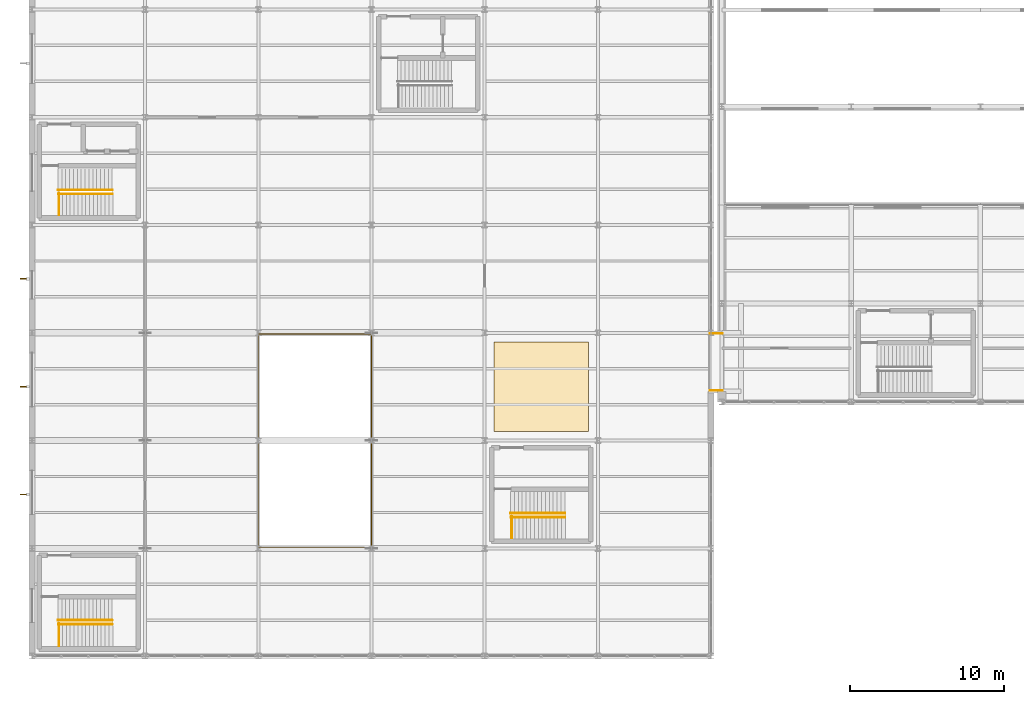
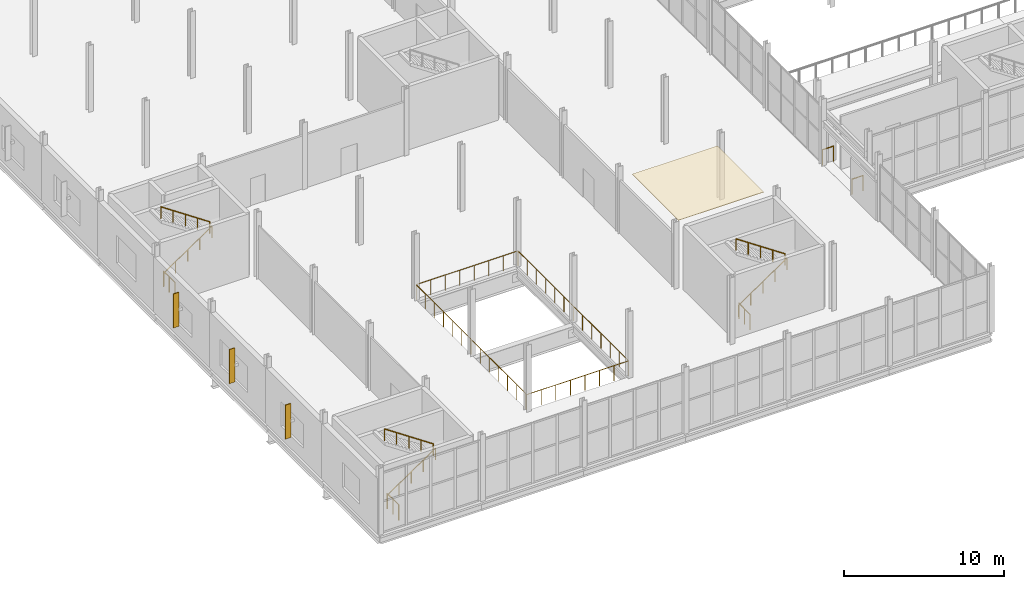
# One storey, part 211 of 218: 12 railings, 3 shading devices, 1 covering.
"""IFC4 building model written with IfcOpenShell, lengths in metres."""

from ifc_helpers import new_model, si_unit, direction, frame, origin, origin_2d, place, context, subcontext, project, spatial, polyline, rectangle, circle, outline, extrude, material, layer, layer_set, type_object, element, save


model = new_model("IFC4")

# Units and contexts
model_context = context("Model", 3, precision=1e-05, world=origin(), true_north=direction((0.0, 1.0)))
body_context = subcontext(model_context, "Body", "Model", "MODEL_VIEW")
ifc_project = project(units=[si_unit("LENGTHUNIT", "METRE"), si_unit("AREAUNIT", "SQUARE_METRE"), si_unit("VOLUMEUNIT", "CUBIC_METRE"), si_unit("PLANEANGLEUNIT", "RADIAN"), si_unit("MASSUNIT", "GRAM", prefix="KILO")], contexts=[model_context])

# Site, building, storey
site_placement = place(None, origin())
site = spatial("IfcSite", under=ifc_project, at=site_placement, CompositionType="ELEMENT")
building_placement = place(site_placement, origin())
building = spatial("IfcBuilding", under=site, at=building_placement, Name="Kazenagashi Tramway Depot", CompositionType="ELEMENT")
storey_placement = place(building_placement, frame((0.0, 0.0, 6.0)))
storey = spatial("IfcBuildingStorey", under=building, at=storey_placement, Name="L02", CompositionType="ELEMENT", Elevation=6.0)

# Covering
ifc_material_1 = material(Name="Acoustic Mineral Fibre Board", Category="insulation")
ifc_layer_1 = layer(ifc_material_1, 0.035)
ifc_layer_set_1 = layer_set([ifc_layer_1], Name="Acoustic Mineral Fibre Board")
covering_type = type_object("IfcCoveringType", Name="CV-CE1", PredefinedType="CEILING", material=ifc_layer_set_1)
covering_placement = place(storey_placement, frame((0.0, 0.0, 4.52)))
element("IfcCovering", 1, at=covering_placement, inside=storey, type_object=covering_type, Name="Acoustic Baffle Ceiling Panel 3", PredefinedType="CEILING", context=body_context, shape_type="SweptSolid", body=[
    extrude(outline(polyline([(30.0, 14.6), (36.15, 14.6), (36.15, 20.4), (30.0, 20.4), (30.0, 14.6)])), origin(), (0.0, 0.0, 1.0), 0.035),
])

# Railings
ifc_material_2 = material(Name="Galvanised Painted Steel Balustrade", Category="steel")
railing_type_1 = type_object("IfcRailingType", Name="GR-01", PredefinedType="GUARDRAIL", material=ifc_material_2)
for number, where, name in (
    (2, (1.76, 28.67, 0.0), "Stairwell ST-01 Arrival Guardrail"),
    (3, (31.16, 7.67, 0.0), "Stairwell ST-09 Arrival Guardrail"),
):
    element("IfcRailing", number, at=place(storey_placement, frame(where)), inside=storey, type_object=railing_type_1, Name=name, PredefinedType="GUARDRAIL", context=body_context, shape_type="SweptSolid", body=[
        extrude(circle(Radius=0.024, at=origin_2d()), frame((0.0, 0.0, 1.156), z_axis=(0.0, 1.0, 0.0), x_axis=(-1.0, 0.0, 0.0)), (0.0, 0.0, 1.0), 1.4),
        extrude(circle(Radius=0.021, at=origin_2d()), origin(), (0.0, 0.0, 1.0), 1.132),
        extrude(circle(Radius=0.021, at=origin_2d()), frame((0.0, 0.7, 0.0)), (0.0, 0.0, 1.0), 1.132),
        extrude(circle(Radius=0.021, at=origin_2d()), frame((0.0, 1.4, 0.0)), (0.0, 0.0, 1.0), 1.132),
    ])
railing_1_placement = place(storey_placement, frame((1.76, 0.67, 0.0)))
element("IfcRailing", 4, at=railing_1_placement, inside=storey, type_object=railing_type_1, Name="Stairwell ST-12 Arrival Guardrail", PredefinedType="GUARDRAIL", context=body_context, shape_type="SweptSolid", body=[
    extrude(circle(Radius=0.024, at=origin_2d()), frame((0.0, 0.0, 1.156), z_axis=(0.0, 1.0, 0.0), x_axis=(-1.0, 0.0, 0.0)), (0.0, 0.0, 1.0), 1.45),
    extrude(circle(Radius=0.021, at=origin_2d()), origin(), (0.0, 0.0, 1.0), 1.132),
    extrude(circle(Radius=0.021, at=origin_2d()), frame((0.0, 0.725, 0.0)), (0.0, 0.0, 1.0), 1.132),
    extrude(circle(Radius=0.021, at=origin_2d()), frame((0.0, 1.45, 0.0)), (0.0, 0.0, 1.0), 1.132),
])
ifc_material_3 = material(Name="Weathering Steel SMA490W Balustrade", Category="steel")
railing_type_2 = type_object("IfcRailingType", Name="GR-02", PredefinedType="GUARDRAIL", material=ifc_material_3)
for number, where, name in (
    (5, (44.05, 17.25, 0.0), "Terrace Perimeter Guardrail GR-02 5"),
    (6, (44.05, 20.95, 0.0), "Terrace Perimeter Guardrail GR-02 6"),
):
    element("IfcRailing", number, at=place(storey_placement, frame(where)), inside=storey, type_object=railing_type_2, Name=name, PredefinedType="GUARDRAIL", context=body_context, shape_type="SweptSolid", body=[
        extrude(circle(Radius=0.024, at=origin_2d()), frame((0.0, 0.0, 1.156), z_axis=(1.0, 0.0, 0.0), x_axis=(0.0, 1.0, 0.0)), (0.0, 0.0, 1.0), 0.8),
        extrude(circle(Radius=0.021, at=origin_2d()), origin(), (0.0, 0.0, 1.0), 1.132),
        extrude(circle(Radius=0.021, at=origin_2d()), frame((0.8, 0.0, 0.0)), (0.0, 0.0, 1.0), 1.132),
    ])
railing_2_placement = place(storey_placement, frame((14.7, 7.08, 0.0)))
element("IfcRailing", 7, at=railing_2_placement, inside=storey, type_object=railing_type_2, Name="Heritage Gallery Double-Height Void Guardrail", PredefinedType="GUARDRAIL", context=body_context, shape_type="SweptSolid", body=[
    extrude(circle(Radius=0.024, at=origin_2d()), frame((0.0, 0.0, 1.156), z_axis=(1.0, 0.0, 0.0), x_axis=(0.0, 1.0, 0.0)), (0.0, 0.0, 1.0), 7.35),
    extrude(circle(Radius=0.024, at=origin_2d()), frame((7.35, 0.0, 1.156), z_axis=(0.0, 1.0, 0.0), x_axis=(-1.0, 0.0, 0.0)), (0.0, 0.0, 1.0), 13.84),
    extrude(circle(Radius=0.024, at=origin_2d()), frame((7.35, 13.84, 1.156), z_axis=(-1.0, 0.0, 0.0), x_axis=(0.0, -1.0, 0.0)), (0.0, 0.0, 1.0), 7.35),
    extrude(circle(Radius=0.024, at=origin_2d()), frame((0.0, 13.84, 1.156), z_axis=(0.0, -1.0, 0.0), x_axis=(1.0, 0.0, 0.0)), (0.0, 0.0, 1.0), 13.72),
    extrude(circle(Radius=0.021, at=origin_2d()), origin(), (0.0, 0.0, 1.0), 1.132),
    extrude(circle(Radius=0.021, at=origin_2d()), frame((1.05, 0.0, 0.0)), (0.0, 0.0, 1.0), 1.132),
    extrude(circle(Radius=0.021, at=origin_2d()), frame((2.1, 0.0, 0.0)), (0.0, 0.0, 1.0), 1.132),
    extrude(circle(Radius=0.021, at=origin_2d()), frame((3.15, 0.0, 0.0)), (0.0, 0.0, 1.0), 1.132),
    extrude(circle(Radius=0.021, at=origin_2d()), frame((4.2, 0.0, 0.0)), (0.0, 0.0, 1.0), 1.132),
    extrude(circle(Radius=0.021, at=origin_2d()), frame((5.25, 0.0, 0.0)), (0.0, 0.0, 1.0), 1.132),
    extrude(circle(Radius=0.021, at=origin_2d()), frame((6.3, 0.0, 0.0)), (0.0, 0.0, 1.0), 1.132),
    extrude(circle(Radius=0.021, at=origin_2d()), frame((7.35, 0.0, 0.0)), (0.0, 0.0, 1.0), 1.132),
    extrude(circle(Radius=0.021, at=origin_2d()), frame((7.35, 1.153333, 0.0)), (0.0, 0.0, 1.0), 1.132),
    extrude(circle(Radius=0.021, at=origin_2d()), frame((7.35, 2.306667, 0.0)), (0.0, 0.0, 1.0), 1.132),
    extrude(circle(Radius=0.021, at=origin_2d()), frame((7.35, 3.46, 0.0)), (0.0, 0.0, 1.0), 1.132),
    extrude(circle(Radius=0.021, at=origin_2d()), frame((7.35, 4.613333, 0.0)), (0.0, 0.0, 1.0), 1.132),
    extrude(circle(Radius=0.021, at=origin_2d()), frame((7.35, 5.766667, 0.0)), (0.0, 0.0, 1.0), 1.132),
    extrude(circle(Radius=0.021, at=origin_2d()), frame((7.35, 6.92, 0.0)), (0.0, 0.0, 1.0), 1.132),
    extrude(circle(Radius=0.021, at=origin_2d()), frame((7.35, 8.073333, 0.0)), (0.0, 0.0, 1.0), 1.132),
    extrude(circle(Radius=0.021, at=origin_2d()), frame((7.35, 9.226667, 0.0)), (0.0, 0.0, 1.0), 1.132),
    extrude(circle(Radius=0.021, at=origin_2d()), frame((7.35, 10.38, 0.0)), (0.0, 0.0, 1.0), 1.132),
    extrude(circle(Radius=0.021, at=origin_2d()), frame((7.35, 11.533333, 0.0)), (0.0, 0.0, 1.0), 1.132),
    extrude(circle(Radius=0.021, at=origin_2d()), frame((7.35, 12.686667, 0.0)), (0.0, 0.0, 1.0), 1.132),
    extrude(circle(Radius=0.021, at=origin_2d()), frame((7.35, 13.84, 0.0)), (0.0, 0.0, 1.0), 1.132),
    extrude(circle(Radius=0.021, at=origin_2d()), frame((6.3, 13.84, 0.0)), (0.0, 0.0, 1.0), 1.132),
    extrude(circle(Radius=0.021, at=origin_2d()), frame((5.25, 13.84, 0.0)), (0.0, 0.0, 1.0), 1.132),
    extrude(circle(Radius=0.021, at=origin_2d()), frame((4.2, 13.84, 0.0)), (0.0, 0.0, 1.0), 1.132),
    extrude(circle(Radius=0.021, at=origin_2d()), frame((3.15, 13.84, 0.0)), (0.0, 0.0, 1.0), 1.132),
    extrude(circle(Radius=0.021, at=origin_2d()), frame((2.1, 13.84, 0.0)), (0.0, 0.0, 1.0), 1.132),
    extrude(circle(Radius=0.021, at=origin_2d()), frame((1.05, 13.84, 0.0)), (0.0, 0.0, 1.0), 1.132),
    extrude(circle(Radius=0.021, at=origin_2d()), frame((0.0, 13.84, 0.0)), (0.0, 0.0, 1.0), 1.132),
    extrude(circle(Radius=0.021, at=origin_2d()), frame((0.0, 12.696667, 0.0)), (0.0, 0.0, 1.0), 1.132),
    extrude(circle(Radius=0.021, at=origin_2d()), frame((0.0, 11.553333, 0.0)), (0.0, 0.0, 1.0), 1.132),
    extrude(circle(Radius=0.021, at=origin_2d()), frame((0.0, 10.41, 0.0)), (0.0, 0.0, 1.0), 1.132),
    extrude(circle(Radius=0.021, at=origin_2d()), frame((0.0, 9.266667, 0.0)), (0.0, 0.0, 1.0), 1.132),
    extrude(circle(Radius=0.021, at=origin_2d()), frame((0.0, 8.123333, 0.0)), (0.0, 0.0, 1.0), 1.132),
    extrude(circle(Radius=0.021, at=origin_2d()), frame((0.0, 6.98, 0.0)), (0.0, 0.0, 1.0), 1.132),
    extrude(circle(Radius=0.021, at=origin_2d()), frame((0.0, 5.836667, 0.0)), (0.0, 0.0, 1.0), 1.132),
    extrude(circle(Radius=0.021, at=origin_2d()), frame((0.0, 4.693333, 0.0)), (0.0, 0.0, 1.0), 1.132),
    extrude(circle(Radius=0.021, at=origin_2d()), frame((0.0, 3.55, 0.0)), (0.0, 0.0, 1.0), 1.132),
    extrude(circle(Radius=0.021, at=origin_2d()), frame((0.0, 2.406667, 0.0)), (0.0, 0.0, 1.0), 1.132),
    extrude(circle(Radius=0.021, at=origin_2d()), frame((0.0, 1.263333, 0.0)), (0.0, 0.0, 1.0), 1.132),
    extrude(circle(Radius=0.021, at=origin_2d()), frame((0.0, 0.12, 0.0)), (0.0, 0.0, 1.0), 1.132),
])
ifc_material_4 = material(Name="Brushed Stainless Steel Handrail", Category="steel")
railing_type_3 = type_object("IfcRailingType", Name="HR-01", PredefinedType="HANDRAIL", material=ifc_material_4)
railing_3_placement = place(storey_placement, frame((1.72, 30.02, 0.17)))
element("IfcRailing", 8, at=railing_3_placement, inside=storey, type_object=railing_type_3, Name="Stair ST-02 Lower Handrail", PredefinedType="HANDRAIL", context=body_context, shape_type="SweptSolid", body=[
    extrude(circle(Radius=0.024, at=origin_2d()), frame((0.0, 0.0, 0.876), z_axis=(0.826026878985, 0.0, 0.563630725913), x_axis=(0.0, 1.0, 0.0)), (0.0, 0.0, 1.0), 4.222623),
    extrude(circle(Radius=0.021, at=origin_2d()), origin(), (0.0, 0.0, 1.0), 0.852),
    extrude(circle(Radius=0.021, at=origin_2d()), frame((0.872, 0.0, 0.595)), (0.0, 0.0, 1.0), 0.852),
    extrude(circle(Radius=0.021, at=origin_2d()), frame((1.744, 0.0, 1.19)), (0.0, 0.0, 1.0), 0.852),
    extrude(circle(Radius=0.021, at=origin_2d()), frame((2.616, 0.0, 1.785)), (0.0, 0.0, 1.0), 0.852),
    extrude(circle(Radius=0.021, at=origin_2d()), frame((3.488, 0.0, 2.38)), (0.0, 0.0, 1.0), 0.852),
])
railing_4_placement = place(storey_placement, frame((5.208, 30.28, 2.72)))
element("IfcRailing", 9, at=railing_4_placement, inside=storey, type_object=railing_type_3, Name="Stair ST-02 Upper Handrail", PredefinedType="HANDRAIL", context=body_context, shape_type="SweptSolid", body=[
    extrude(circle(Radius=0.024, at=origin_2d()), frame((0.0, 0.0, 0.876), z_axis=(-0.829001192095, 0.0, 0.559246835937), x_axis=(0.0, -1.0, 0.0)), (0.0, 0.0, 1.0), 4.255724),
    extrude(circle(Radius=0.021, at=origin_2d()), origin(), (0.0, 0.0, 1.0), 0.852),
    extrude(circle(Radius=0.021, at=origin_2d()), frame((-0.882, 0.0, 0.595)), (0.0, 0.0, 1.0), 0.852),
    extrude(circle(Radius=0.021, at=origin_2d()), frame((-1.764, 0.0, 1.19)), (0.0, 0.0, 1.0), 0.852),
    extrude(circle(Radius=0.021, at=origin_2d()), frame((-2.646, 0.0, 1.785)), (0.0, 0.0, 1.0), 0.852),
    extrude(circle(Radius=0.021, at=origin_2d()), frame((-3.528, 0.0, 2.38)), (0.0, 0.0, 1.0), 0.852),
])
railing_5_placement = place(storey_placement, frame((31.12, 9.02, 0.17)))
element("IfcRailing", 10, at=railing_5_placement, inside=storey, type_object=railing_type_3, Name="Stair ST-10 Lower Handrail", PredefinedType="HANDRAIL", context=body_context, shape_type="SweptSolid", body=[
    extrude(circle(Radius=0.024, at=origin_2d()), frame((0.0, 0.0, 0.876), z_axis=(0.826026878985, 0.0, 0.563630725913), x_axis=(0.0, 1.0, 0.0)), (0.0, 0.0, 1.0), 4.222623),
    extrude(circle(Radius=0.021, at=origin_2d()), origin(), (0.0, 0.0, 1.0), 0.852),
    extrude(circle(Radius=0.021, at=origin_2d()), frame((0.872, 0.0, 0.595)), (0.0, 0.0, 1.0), 0.852),
    extrude(circle(Radius=0.021, at=origin_2d()), frame((1.744, 0.0, 1.19)), (0.0, 0.0, 1.0), 0.852),
    extrude(circle(Radius=0.021, at=origin_2d()), frame((2.616, 0.0, 1.785)), (0.0, 0.0, 1.0), 0.852),
    extrude(circle(Radius=0.021, at=origin_2d()), frame((3.488, 0.0, 2.38)), (0.0, 0.0, 1.0), 0.852),
])
railing_6_placement = place(storey_placement, frame((34.608, 9.28, 2.72)))
element("IfcRailing", 11, at=railing_6_placement, inside=storey, type_object=railing_type_3, Name="Stair ST-10 Upper Handrail", PredefinedType="HANDRAIL", context=body_context, shape_type="SweptSolid", body=[
    extrude(circle(Radius=0.024, at=origin_2d()), frame((0.0, 0.0, 0.876), z_axis=(-0.829001192095, 0.0, 0.559246835937), x_axis=(0.0, -1.0, 0.0)), (0.0, 0.0, 1.0), 4.255724),
    extrude(circle(Radius=0.021, at=origin_2d()), origin(), (0.0, 0.0, 1.0), 0.852),
    extrude(circle(Radius=0.021, at=origin_2d()), frame((-0.882, 0.0, 0.595)), (0.0, 0.0, 1.0), 0.852),
    extrude(circle(Radius=0.021, at=origin_2d()), frame((-1.764, 0.0, 1.19)), (0.0, 0.0, 1.0), 0.852),
    extrude(circle(Radius=0.021, at=origin_2d()), frame((-2.646, 0.0, 1.785)), (0.0, 0.0, 1.0), 0.852),
    extrude(circle(Radius=0.021, at=origin_2d()), frame((-3.528, 0.0, 2.38)), (0.0, 0.0, 1.0), 0.852),
])
railing_7_placement = place(storey_placement, frame((1.72, 2.07, 0.17)))
element("IfcRailing", 12, at=railing_7_placement, inside=storey, type_object=railing_type_3, Name="Stair ST-13 Lower Handrail", PredefinedType="HANDRAIL", context=body_context, shape_type="SweptSolid", body=[
    extrude(circle(Radius=0.024, at=origin_2d()), frame((0.0, 0.0, 0.876), z_axis=(0.826026878985, 0.0, 0.563630725913), x_axis=(0.0, 1.0, 0.0)), (0.0, 0.0, 1.0), 4.222623),
    extrude(circle(Radius=0.021, at=origin_2d()), origin(), (0.0, 0.0, 1.0), 0.852),
    extrude(circle(Radius=0.021, at=origin_2d()), frame((0.872, 0.0, 0.595)), (0.0, 0.0, 1.0), 0.852),
    extrude(circle(Radius=0.021, at=origin_2d()), frame((1.744, 0.0, 1.19)), (0.0, 0.0, 1.0), 0.852),
    extrude(circle(Radius=0.021, at=origin_2d()), frame((2.616, 0.0, 1.785)), (0.0, 0.0, 1.0), 0.852),
    extrude(circle(Radius=0.021, at=origin_2d()), frame((3.488, 0.0, 2.38)), (0.0, 0.0, 1.0), 0.852),
])
railing_8_placement = place(storey_placement, frame((5.208, 2.33, 2.72)))
element("IfcRailing", 13, at=railing_8_placement, inside=storey, type_object=railing_type_3, Name="Stair ST-13 Upper Handrail", PredefinedType="HANDRAIL", context=body_context, shape_type="SweptSolid", body=[
    extrude(circle(Radius=0.024, at=origin_2d()), frame((0.0, 0.0, 0.876), z_axis=(-0.829001192095, 0.0, 0.559246835937), x_axis=(0.0, -1.0, 0.0)), (0.0, 0.0, 1.0), 4.255724),
    extrude(circle(Radius=0.021, at=origin_2d()), origin(), (0.0, 0.0, 1.0), 0.852),
    extrude(circle(Radius=0.021, at=origin_2d()), frame((-0.882, 0.0, 0.595)), (0.0, 0.0, 1.0), 0.852),
    extrude(circle(Radius=0.021, at=origin_2d()), frame((-1.764, 0.0, 1.19)), (0.0, 0.0, 1.0), 0.852),
    extrude(circle(Radius=0.021, at=origin_2d()), frame((-2.646, 0.0, 1.785)), (0.0, 0.0, 1.0), 0.852),
    extrude(circle(Radius=0.021, at=origin_2d()), frame((-3.528, 0.0, 2.38)), (0.0, 0.0, 1.0), 0.852),
])

# Shading devices
ifc_material_5 = material(Name="Anodised Aluminium Solar Fin", Category="aluminium")
ifc_layer_2 = layer(ifc_material_5, 0.06)
ifc_layer_set_2 = layer_set([ifc_layer_2], Name="Anodised Aluminium Solar Fin")
shading_device_type = type_object("IfcShadingDeviceType", Name="SH-FN1", PredefinedType="USERDEFINED", material=ifc_layer_set_2)
for number, where, z_axis, x_axis, name in (
    (14, (-0.58, 10.5, 1.1), (0.0, 0.0, 1.0), (1.0, 0.0, 0.0), "Vertical Aluminium Solar Shading Fin 1"),
    (15, (-0.58, 17.5, 1.1), (0.0, 0.0, 1.0), (1.0, 0.0, 0.0), "Vertical Aluminium Solar Shading Fin 2"),
    (16, (-0.58, 24.5, 1.1), (0.0, 0.0, 1.0), (1.0, 0.0, 0.0), "Vertical Aluminium Solar Shading Fin 3"),
):
    element("IfcShadingDevice", number, at=place(storey_placement, frame(where, z_axis=z_axis, x_axis=x_axis)), inside=storey, type_object=shading_device_type, Name=name, ObjectType="BRISE SOLEIL", PredefinedType="USERDEFINED", context=body_context, shape_type="SweptSolid", body=[
        extrude(rectangle(XDim=0.4, YDim=0.06, at=origin_2d()), origin(), (0.0, 0.0, 1.0), 2.6),
    ])

save(model, "model.ifc")
